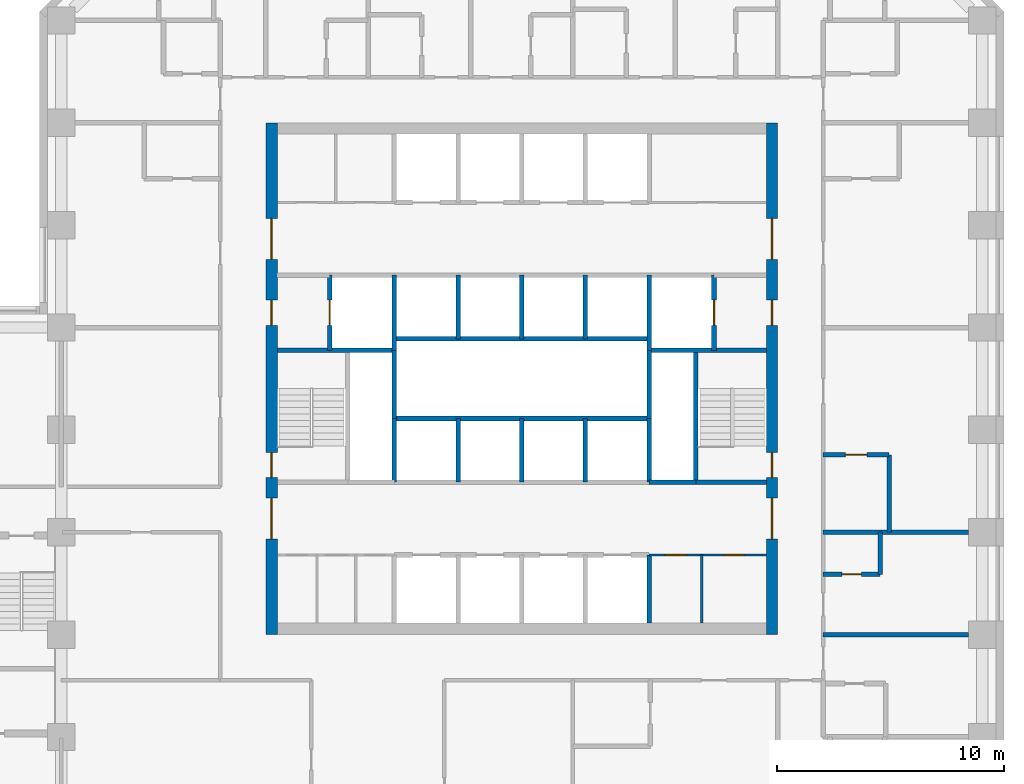
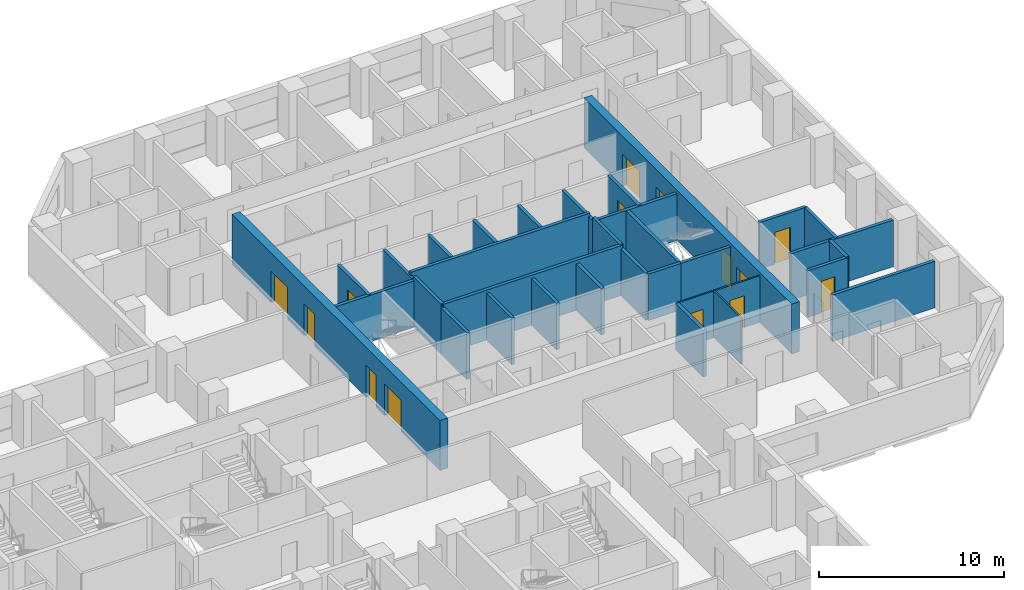
# One storey, part 8 of 12: 32 walls, 14 doors, 14 openings.
"""IFC4 building model written with IfcOpenShell, lengths in metres."""

from ifc_helpers import new_model, si_unit, direction, frame, frame_2d, origin, place, context, subcontext, project, spatial, rectangle, extrude, material, layer, layer_set, type_object, element, fill, save


model = new_model("IFC4")

# Units and contexts
model_context = context("Model", 3, precision=1e-05, world=origin(), true_north=direction((0.0, 1.0)))
body_context = subcontext(model_context, "Body", "Model", "MODEL_VIEW")
ifc_project = project(units=[si_unit("LENGTHUNIT", "METRE"), si_unit("AREAUNIT", "SQUARE_METRE"), si_unit("VOLUMEUNIT", "CUBIC_METRE"), si_unit("PLANEANGLEUNIT", "RADIAN"), si_unit("MASSUNIT", "GRAM", prefix="KILO")], contexts=[model_context])

# Site, building, storey
site_placement = place(None, origin())
site = spatial("IfcSite", under=ifc_project, at=site_placement, CompositionType="ELEMENT")
building_placement = place(site_placement, origin())
building = spatial("IfcBuilding", under=site, at=building_placement, Name="Quoin Convention Tower", CompositionType="ELEMENT")
storey_placement = place(building_placement, frame((0.0, 0.0, 56.10009765625)))
storey = spatial("IfcBuildingStorey", under=building, at=storey_placement, Name="L14", CompositionType="ELEMENT", Elevation=56.10009765625)

# Wall, openings, doors
ifc_material_1 = material(Name="Plasterboard")
ifc_layer_1 = layer(ifc_material_1, 0.012451171875, Name="Finish")
ifc_material_2 = material(Name="Steel stud framing", Category="steel")
ifc_layer_2 = layer(ifc_material_2, 0.074951171875, Name="Structure")
ifc_layer_3 = layer(ifc_material_1, 0.012451171875, Name="Finish")
ifc_layer_set_1 = layer_set([ifc_layer_1, ifc_layer_2, ifc_layer_3], Name="Steel stud framing")
wall_type_1 = type_object("IfcWallType", Name="Core partition wall", PredefinedType="PARTITIONING", material=ifc_layer_set_1)
wall_1_placement = place(storey_placement, frame((61.85009765625, 53.0, 0.0), z_axis=(0.0, 0.0, 1.0), x_axis=(1.0, 0.0, 0.0)))
wall_1 = element("IfcWall", 1, at=wall_1_placement, inside=storey, type_object=wall_type_1, Name="cr-C1-L14-h3500_16850", PredefinedType="PARTITIONING", context=body_context, shape_type="SweptSolid", body=[
    extrude(rectangle(XDim=5.14990234375, YDim=0.10009765625, at=frame_2d((2.574951171875, 0.0))), origin(), (0.0, 0.0, 1.0), 3.079833984375),
])
opening_1_placement = place(wall_1_placement, frame((3.28369140625, 0.0, 0.0)))
opening_1 = element("IfcOpeningElement", 2, at=opening_1_placement, cuts=wall_1, Name="Opening DCV5-22", PredefinedType="OPENING", context=body_context, shape_type="SweptSolid", body=[
    extrude(rectangle(XDim=0.89990234375, YDim=2.10009765625, at=frame_2d((0.449951171875, 1.050048828125))), frame((0.0, 0.06005859375, 0.0), z_axis=(0.0, -1.0, 0.0), x_axis=(1.0, 0.0, 0.0)), (0.0, 0.0, 1.0), 0.1201171875),
])
opening_2_placement = place(wall_1_placement, frame((0.708740234375, 0.0, 0.0)))
opening_2 = element("IfcOpeningElement", 3, at=opening_2_placement, cuts=wall_1, Name="Opening DCV5-20", PredefinedType="OPENING", context=body_context, shape_type="SweptSolid", body=[
    extrude(rectangle(XDim=0.89990234375, YDim=2.10009765625, at=frame_2d((0.449951171875, 1.050048828125))), frame((0.0, 0.06005859375, 0.0), z_axis=(0.0, -1.0, 0.0), x_axis=(1.0, 0.0, 0.0)), (0.0, 0.0, 1.0), 0.1201171875),
])
ifc_material_3 = material(Name="Steel door leaf", Category="steel")
door_type_1 = type_object("IfcDoorType", Name="Core room door 900 x 2100", OperationType="SINGLE_SWING_LEFT", PredefinedType="DOOR", material=ifc_material_3)
door_1_placement = place(opening_1_placement, frame((0.89990234375, 0.0, 0.0), z_axis=(0.0, 0.0, 1.0), x_axis=(-1.0, 0.0, 0.0)))
door_1 = element("IfcDoor", 4, at=door_1_placement, inside=storey, type_object=door_type_1, Name="cd-C1-L14-CSE0-lobA-CD1410", OperationType="SINGLE_SWING_LEFT", OverallHeight=2.10009765625, OverallWidth=0.89990234375, PredefinedType="DOOR", context=body_context, shape_type="SweptSolid", body=[
    extrude(rectangle(XDim=0.89990234375, YDim=2.10009765625, at=frame_2d((0.449951171875, 1.050048828125))), frame((0.0, 0.02490234375, 0.0), z_axis=(0.0, -1.0, 0.0), x_axis=(1.0, 0.0, 0.0)), (0.0, 0.0, 1.0), 0.050048828125),
])
fill(opening_1, door_1)
door_2_placement = place(opening_2_placement, frame((0.89990234375, 0.0, 0.0), z_axis=(0.0, 0.0, 1.0), x_axis=(-1.0, 0.0, 0.0)))
door_2 = element("IfcDoor", 5, at=door_2_placement, inside=storey, type_object=door_type_1, Name="cd-C1-L14-CSE1-lobA-CD1411", OperationType="SINGLE_SWING_RIGHT", OverallHeight=2.10009765625, OverallWidth=0.89990234375, PredefinedType="DOOR", context=body_context, shape_type="SweptSolid", body=[
    extrude(rectangle(XDim=0.89990234375, YDim=2.10009765625, at=frame_2d((0.449951171875, 1.050048828125))), frame((0.0, 0.02490234375, 0.0), z_axis=(0.0, -1.0, 0.0), x_axis=(1.0, 0.0, 0.0)), (0.0, 0.0, 1.0), 0.050048828125),
])
fill(opening_2, door_2)

# Walls
wall_2_placement = place(storey_placement, frame((64.16748046875, 50.0, 0.0), z_axis=(0.0, 0.0, 1.0), x_axis=(0.0, 1.0, 0.0)))
element("IfcWall", 6, at=wall_2_placement, inside=storey, type_object=wall_type_1, Name="cr-C1-L14-v19168_500", PredefinedType="PARTITIONING", context=body_context, shape_type="SweptSolid", body=[
    extrude(rectangle(XDim=3.0, YDim=0.10009765625, at=frame_2d((1.5, 0.0))), origin(), (0.0, 0.0, 1.0), 3.079833984375),
])
ifc_material_4 = material(Name="Concrete C50", Category="concrete")
ifc_layer_4 = layer(ifc_material_4, 0.199951171875)
ifc_layer_set_2 = layer_set([ifc_layer_4], Name="Concrete C50")
wall_type_2 = type_object("IfcWallType", Name="Core shaft wall", PredefinedType="SOLIDWALL", material=ifc_layer_set_2)
wall_3_placement = place(storey_placement, frame((61.85009765625, 56.199951171875, 0.0), z_axis=(0.0, 0.0, 1.0), x_axis=(1.0, 0.0, 0.0)))
element("IfcWall", 7, at=wall_3_placement, inside=storey, type_object=wall_type_2, Name="cr-C1-L14-h6700_16850", PredefinedType="SOLIDWALL", context=body_context, shape_type="SweptSolid", body=[
    extrude(rectangle(XDim=2.0498046875, YDim=0.199951171875, at=frame_2d((1.02490234375, 0.0))), origin(), (0.0, 0.0, 1.0), 3.079833984375),
])
wall_4_placement = place(storey_placement, frame((63.89990234375, 56.199951171875, 0.0), z_axis=(0.0, 0.0, 1.0), x_axis=(1.0, 0.0, 0.0)))
element("IfcWall", 8, at=wall_4_placement, inside=storey, type_object=wall_type_2, Name="cr-C1-L14-h6700_18900", PredefinedType="SOLIDWALL", context=body_context, shape_type="SweptSolid", body=[
    extrude(rectangle(XDim=3.10009765625, YDim=0.199951171875, at=frame_2d((1.550048828125, 0.0))), origin(), (0.0, 0.0, 1.0), 3.079833984375),
])
for number, where, z_axis, x_axis, name in (
    (9, (45.5, 62.0, 0.0), (0.0, 0.0, 1.0), (1.0, 0.0, 0.0), "cr-C1-L14-h12500_500"),
    (10, (61.85009765625, 62.0, 0.0), (0.0, 0.0, 1.0), (1.0, 0.0, 0.0), "cr-C1-L14-h12500_16850"),
):
    element("IfcWall", number, at=place(storey_placement, frame(where, z_axis=z_axis, x_axis=x_axis)), inside=storey, type_object=wall_type_2, Name=name, PredefinedType="SOLIDWALL", context=body_context, shape_type="SweptSolid", body=[
        extrude(rectangle(XDim=5.14990234375, YDim=0.199951171875, at=frame_2d((2.574951171875, 0.0))), origin(), (0.0, 0.0, 1.0), 3.079833984375),
    ])

# Wall, opening, door
wall_5_placement = place(storey_placement, frame((47.800048828125, 62.0, 0.0), z_axis=(0.0, 0.0, 1.0), x_axis=(0.0, 1.0, 0.0)))
wall_5 = element("IfcWall", 11, at=wall_5_placement, inside=storey, type_object=wall_type_2, Name="cr-C1-L14-v2800_12500", PredefinedType="SOLIDWALL", context=body_context, shape_type="SweptSolid", body=[
    extrude(rectangle(XDim=3.300048828125, YDim=0.199951171875, at=frame_2d((1.64990234375, 0.0))), origin(), (0.0, 0.0, 1.0), 3.079833984375),
])
opening_3_placement = place(wall_5_placement, frame((1.10009765625, 0.0, 0.0)))
opening_3 = element("IfcOpeningElement", 12, at=opening_3_placement, cuts=wall_5, Name="Opening LDFL1", PredefinedType="OPENING", context=body_context, shape_type="SweptSolid", body=[
    extrude(rectangle(XDim=1.10009765625, YDim=2.10009765625, at=frame_2d((0.550048828125, 1.050048828125))), frame((0.0, 0.10986328125, 0.0), z_axis=(0.0, -1.0, 0.0), x_axis=(1.0, 0.0, 0.0)), (0.0, 0.0, 1.0), 0.219970703125),
])
door_type_2 = type_object("IfcDoorType", Name="Lift landing door 1100 x 2100", OperationType="DOUBLE_DOOR_SLIDING", PredefinedType="DOOR", material=ifc_material_3)
door_3_placement = place(opening_3_placement, origin())
door_3 = element("IfcDoor", 13, at=door_3_placement, inside=storey, type_object=door_type_2, Name="cd-C1-L14-FLW-FFW-LDFL1", OperationType="DOUBLE_DOOR_SLIDING", OverallHeight=2.10009765625, OverallWidth=1.10009765625, PredefinedType="DOOR", context=body_context, shape_type="SweptSolid", body=[
    extrude(rectangle(XDim=1.10009765625, YDim=2.10009765625, at=frame_2d((0.550048828125, 1.050048828125))), frame((0.0, 0.02490234375, 0.0), z_axis=(0.0, -1.0, 0.0), x_axis=(1.0, 0.0, 0.0)), (0.0, 0.0, 1.0), 0.050048828125),
])
fill(opening_3, door_3)

# Walls
wall_6_placement = place(storey_placement, frame((50.64990234375, 56.199951171875, 0.0), z_axis=(0.0, 0.0, 1.0), x_axis=(0.0, 1.0, 0.0)))
element("IfcWall", 14, at=wall_6_placement, inside=storey, type_object=wall_type_2, Name="cr-C1-L14-v5650_6700", PredefinedType="SOLIDWALL", context=body_context, shape_type="SweptSolid", body=[
    extrude(rectangle(XDim=2.800048828125, YDim=0.199951171875, at=frame_2d((1.39990234375, 0.0))), origin(), (0.0, 0.0, 1.0), 3.079833984375),
])
wall_7_placement = place(storey_placement, frame((50.64990234375, 62.0, 0.0), z_axis=(0.0, 0.0, 1.0), x_axis=(0.0, 1.0, 0.0)))
element("IfcWall", 15, at=wall_7_placement, inside=storey, type_object=wall_type_2, Name="cr-C1-L14-v5650_12500", PredefinedType="SOLIDWALL", context=body_context, shape_type="SweptSolid", body=[
    extrude(rectangle(XDim=3.300048828125, YDim=0.199951171875, at=frame_2d((1.64990234375, 0.0))), origin(), (0.0, 0.0, 1.0), 3.079833984375),
])
for number, where, z_axis, x_axis, name in (
    (16, (53.449951171875, 56.199951171875, 0.0), (0.0, 0.0, 1.0), (0.0, 1.0, 0.0), "cr-C1-L14-v8450_6700"),
    (17, (53.449951171875, 62.5, 0.0), (0.0, 0.0, 1.0), (0.0, 1.0, 0.0), "cr-C1-L14-v8450_13000"),
    (18, (56.25, 56.199951171875, 0.0), (0.0, 0.0, 1.0), (0.0, 1.0, 0.0), "cr-C1-L14-v11250_6700"),
    (19, (56.25, 62.5, 0.0), (0.0, 0.0, 1.0), (0.0, 1.0, 0.0), "cr-C1-L14-v11250_13000"),
    (20, (59.050048828125, 56.199951171875, 0.0), (0.0, 0.0, 1.0), (0.0, 1.0, 0.0), "cr-C1-L14-v14050_6700"),
    (21, (59.050048828125, 62.5, 0.0), (0.0, 0.0, 1.0), (0.0, 1.0, 0.0), "cr-C1-L14-v14050_13000"),
):
    element("IfcWall", number, at=place(storey_placement, frame(where, z_axis=z_axis, x_axis=x_axis)), inside=storey, type_object=wall_type_2, Name=name, PredefinedType="SOLIDWALL", context=body_context, shape_type="SweptSolid", body=[
        extrude(rectangle(XDim=2.800048828125, YDim=0.199951171875, at=frame_2d((1.39990234375, 0.0))), origin(), (0.0, 0.0, 1.0), 3.079833984375),
    ])
wall_8_placement = place(storey_placement, frame((61.85009765625, 50.0, 0.0), z_axis=(0.0, 0.0, 1.0), x_axis=(0.0, 1.0, 0.0)))
element("IfcWall", 22, at=wall_8_placement, inside=storey, type_object=wall_type_2, Name="cr-C1-L14-v16850_500", PredefinedType="SOLIDWALL", context=body_context, shape_type="SweptSolid", body=[
    extrude(rectangle(XDim=3.0, YDim=0.199951171875, at=frame_2d((1.5, 0.0))), origin(), (0.0, 0.0, 1.0), 3.079833984375),
])
wall_9_placement = place(storey_placement, frame((61.85009765625, 56.199951171875, 0.0), z_axis=(0.0, 0.0, 1.0), x_axis=(0.0, 1.0, 0.0)))
element("IfcWall", 23, at=wall_9_placement, inside=storey, type_object=wall_type_2, Name="cr-C1-L14-v16850_6700", PredefinedType="SOLIDWALL", context=body_context, shape_type="SweptSolid", body=[
    extrude(rectangle(XDim=2.800048828125, YDim=0.199951171875, at=frame_2d((1.39990234375, 0.0))), origin(), (0.0, 0.0, 1.0), 3.079833984375),
])
wall_10_placement = place(storey_placement, frame((61.85009765625, 62.0, 0.0), z_axis=(0.0, 0.0, 1.0), x_axis=(0.0, 1.0, 0.0)))
element("IfcWall", 24, at=wall_10_placement, inside=storey, type_object=wall_type_2, Name="cr-C1-L14-v16850_12500", PredefinedType="SOLIDWALL", context=body_context, shape_type="SweptSolid", body=[
    extrude(rectangle(XDim=3.300048828125, YDim=0.199951171875, at=frame_2d((1.64990234375, 0.0))), origin(), (0.0, 0.0, 1.0), 3.079833984375),
])
wall_11_placement = place(storey_placement, frame((63.89990234375, 56.199951171875, 0.0), z_axis=(0.0, 0.0, 1.0), x_axis=(0.0, 1.0, 0.0)))
element("IfcWall", 25, at=wall_11_placement, inside=storey, type_object=wall_type_2, Name="cr-C1-L14-v18900_6700", PredefinedType="SOLIDWALL", context=body_context, shape_type="SweptSolid", body=[
    extrude(rectangle(XDim=5.800048828125, YDim=0.199951171875, at=frame_2d((2.89990234375, 0.0))), origin(), (0.0, 0.0, 1.0), 3.079833984375),
])

# Wall, opening, door
wall_12_placement = place(storey_placement, frame((64.699951171875, 62.0, 0.0), z_axis=(0.0, 0.0, 1.0), x_axis=(0.0, 1.0, 0.0)))
wall_12 = element("IfcWall", 26, at=wall_12_placement, inside=storey, type_object=wall_type_2, Name="cr-C1-L14-v19700_12500", PredefinedType="SOLIDWALL", context=body_context, shape_type="SweptSolid", body=[
    extrude(rectangle(XDim=3.300048828125, YDim=0.199951171875, at=frame_2d((1.64990234375, 0.0))), origin(), (0.0, 0.0, 1.0), 3.079833984375),
])
opening_4_placement = place(wall_12_placement, frame((1.10009765625, 0.0, 0.0)))
opening_4 = element("IfcOpeningElement", 27, at=opening_4_placement, cuts=wall_12, Name="Opening LDFL2", PredefinedType="OPENING", context=body_context, shape_type="SweptSolid", body=[
    extrude(rectangle(XDim=1.10009765625, YDim=2.10009765625, at=frame_2d((0.550048828125, 1.050048828125))), frame((0.0, 0.10986328125, 0.0), z_axis=(0.0, -1.0, 0.0), x_axis=(1.0, 0.0, 0.0)), (0.0, 0.0, 1.0), 0.219970703125),
])
door_4_placement = place(opening_4_placement, origin())
door_4 = element("IfcDoor", 28, at=door_4_placement, inside=storey, type_object=door_type_2, Name="cd-C1-L14-FLE-FFE-LDFL2", OperationType="DOUBLE_DOOR_SLIDING", OverallHeight=2.10009765625, OverallWidth=1.10009765625, PredefinedType="DOOR", context=body_context, shape_type="SweptSolid", body=[
    extrude(rectangle(XDim=1.10009765625, YDim=2.10009765625, at=frame_2d((0.550048828125, 1.050048828125))), frame((0.0, 0.02490234375, 0.0), z_axis=(0.0, -1.0, 0.0), x_axis=(1.0, 0.0, 0.0)), (0.0, 0.0, 1.0), 0.050048828125),
])
fill(opening_4, door_4)

# Walls
ifc_layer_5 = layer(ifc_material_4, 0.199951171875)
ifc_layer_set_3 = layer_set([ifc_layer_5], Name="Concrete C50")
wall_type_3 = type_object("IfcWallType", Name="Core shaft wall to the floor level over", PredefinedType="SOLIDWALL", material=ifc_layer_set_3)
for number, where, z_axis, x_axis, name in (
    (29, (50.64990234375, 59.0, 0.0), (0.0, 0.0, 1.0), (1.0, 0.0, 0.0), "cr-C1-L14-h9500_5650"),
    (30, (50.64990234375, 62.5, 0.0), (0.0, 0.0, 1.0), (1.0, 0.0, 0.0), "cr-C1-L14-h13000_5650"),
):
    element("IfcWall", number, at=place(storey_placement, frame(where, z_axis=z_axis, x_axis=x_axis)), inside=storey, type_object=wall_type_3, Name=name, PredefinedType="SOLIDWALL", context=body_context, shape_type="SweptSolid", body=[
        extrude(rectangle(XDim=11.2001953125, YDim=0.199951171875, at=frame_2d((5.60009765625, 0.0))), origin(), (0.0, 0.0, 1.0), 3.2998046875),
    ])
for number, where, z_axis, x_axis, name in (
    (31, (50.64990234375, 59.0, 0.0), (0.0, 0.0, 1.0), (0.0, 1.0, 0.0), "cr-C1-L14-v5650_9500"),
    (32, (61.85009765625, 59.0, 0.0), (0.0, 0.0, 1.0), (0.0, 1.0, 0.0), "cr-C1-L14-v16850_9500"),
):
    element("IfcWall", number, at=place(storey_placement, frame(where, z_axis=z_axis, x_axis=x_axis)), inside=storey, type_object=wall_type_3, Name=name, PredefinedType="SOLIDWALL", context=body_context, shape_type="SweptSolid", body=[
        extrude(rectangle(XDim=3.0, YDim=0.199951171875, at=frame_2d((1.5, 0.0))), origin(), (0.0, 0.0, 1.0), 3.2998046875),
    ])

# Wall, openings, doors
ifc_material_5 = material(Name="Concrete C80", Category="concrete")
ifc_layer_6 = layer(ifc_material_5, 0.5)
ifc_layer_set_4 = layer_set([ifc_layer_6], Name="Concrete C80")
wall_type_4 = type_object("IfcWallType", Name="RC CORE WALL 500 C80", PredefinedType="SHEAR", material=ifc_layer_set_4)
wall_13_placement = place(storey_placement, frame((45.25, 49.5, 0.0), z_axis=(0.0, 0.0, 1.0), x_axis=(0.0, 1.0, 0.0)))
wall_13 = element("IfcWall", 33, at=wall_13_placement, inside=storey, type_object=wall_type_4, Name="cwl-C1-L14-W", PredefinedType="SHEAR", context=body_context, shape_type="SweptSolid", body=[
    extrude(rectangle(XDim=22.5, YDim=0.5, at=frame_2d((11.25, 0.0))), origin(), (0.0, 0.0, 1.0), 3.2998046875),
])
opening_5_placement = place(wall_13_placement, frame((4.199951171875, 0.0, 0.0)))
opening_5 = element("IfcOpeningElement", 34, at=opening_5_placement, cuts=wall_13, Name="Opening DCV5-50", PredefinedType="OPENING", context=body_context, shape_type="SweptSolid", body=[
    extrude(rectangle(XDim=1.800048828125, YDim=2.10009765625, at=frame_2d((0.89990234375, 1.050048828125))), frame((0.0, 0.260009765625, 0.0), z_axis=(0.0, -1.0, 0.0), x_axis=(1.0, 0.0, 0.0)), (0.0, 0.0, 1.0), 0.52001953125),
])
opening_6_placement = place(wall_13_placement, frame((6.89990234375, 0.0, 0.0)))
opening_6 = element("IfcOpeningElement", 35, at=opening_6_placement, cuts=wall_13, Name="Opening SD1", PredefinedType="OPENING", context=body_context, shape_type="SweptSolid", body=[
    extrude(rectangle(XDim=1.10009765625, YDim=2.10009765625, at=frame_2d((0.550048828125, 1.050048828125))), frame((0.0, 0.260009765625, 0.0), z_axis=(0.0, -1.0, 0.0), x_axis=(1.0, 0.0, 0.0)), (0.0, 0.0, 1.0), 0.52001953125),
])
opening_7_placement = place(wall_13_placement, frame((13.60009765625, 0.0, 0.0)))
opening_7 = element("IfcOpeningElement", 36, at=opening_7_placement, cuts=wall_13, Name="Opening DCV5-49", PredefinedType="OPENING", context=body_context, shape_type="SweptSolid", body=[
    extrude(rectangle(XDim=1.10009765625, YDim=2.10009765625, at=frame_2d((0.550048828125, 1.050048828125))), frame((0.0, 0.260009765625, 0.0), z_axis=(0.0, -1.0, 0.0), x_axis=(1.0, 0.0, 0.0)), (0.0, 0.0, 1.0), 0.52001953125),
])
opening_8_placement = place(wall_13_placement, frame((16.5, 0.0, 0.0)))
opening_8 = element("IfcOpeningElement", 37, at=opening_8_placement, cuts=wall_13, Name="Opening DCV5-50", PredefinedType="OPENING", context=body_context, shape_type="SweptSolid", body=[
    extrude(rectangle(XDim=1.800048828125, YDim=2.10009765625, at=frame_2d((0.89990234375, 1.050048828125))), frame((0.0, 0.260009765625, 0.0), z_axis=(0.0, -1.0, 0.0), x_axis=(1.0, 0.0, 0.0)), (0.0, 0.0, 1.0), 0.52001953125),
])
door_type_3 = type_object("IfcDoorType", Name="Fire-fighting lobby door 1100 x 2100", OperationType="SINGLE_SWING_LEFT", PredefinedType="DOOR", material=ifc_material_3)
door_5_placement = place(opening_7_placement, frame((1.10009765625, 0.0, 0.0), z_axis=(0.0, 0.0, 1.0), x_axis=(-1.0, 0.0, 0.0)))
door_5 = element("IfcDoor", 38, at=door_5_placement, inside=storey, type_object=door_type_3, Name="cd-C1-L14-FFW-W", OperationType="SINGLE_SWING_LEFT", OverallHeight=2.10009765625, OverallWidth=1.10009765625, PredefinedType="DOOR", context=body_context, shape_type="SweptSolid", body=[
    extrude(rectangle(XDim=1.10009765625, YDim=2.10009765625, at=frame_2d((0.550048828125, 1.050048828125))), frame((0.0, 0.02490234375, 0.0), z_axis=(0.0, -1.0, 0.0), x_axis=(1.0, 0.0, 0.0)), (0.0, 0.0, 1.0), 0.050048828125),
])
fill(opening_7, door_5)
door_type_4 = type_object("IfcDoorType", Name="Lift lobby door 1800 x 2100", OperationType="SINGLE_SWING_LEFT", PredefinedType="DOOR", material=ifc_material_3)
door_6_placement = place(opening_5_placement, frame((1.800048828125, 0.0, 0.0), z_axis=(0.0, 0.0, 1.0), x_axis=(-1.0, 0.0, 0.0)))
door_6 = element("IfcDoor", 39, at=door_6_placement, inside=storey, type_object=door_type_4, Name="cd-C1-L14-lobA-W", OperationType="SINGLE_SWING_LEFT", OverallHeight=2.10009765625, OverallWidth=1.800048828125, PredefinedType="DOOR", context=body_context, shape_type="SweptSolid", body=[
    extrude(rectangle(XDim=1.800048828125, YDim=2.10009765625, at=frame_2d((0.89990234375, 1.050048828125))), frame((0.0, 0.02490234375, 0.0), z_axis=(0.0, -1.0, 0.0), x_axis=(1.0, 0.0, 0.0)), (0.0, 0.0, 1.0), 0.050048828125),
])
fill(opening_5, door_6)
door_7_placement = place(opening_8_placement, frame((1.800048828125, 0.0, 0.0), z_axis=(0.0, 0.0, 1.0), x_axis=(-1.0, 0.0, 0.0)))
door_7 = element("IfcDoor", 40, at=door_7_placement, inside=storey, type_object=door_type_4, Name="cd-C1-L14-lobB-W", OperationType="SINGLE_SWING_LEFT", OverallHeight=2.10009765625, OverallWidth=1.800048828125, PredefinedType="DOOR", context=body_context, shape_type="SweptSolid", body=[
    extrude(rectangle(XDim=1.800048828125, YDim=2.10009765625, at=frame_2d((0.89990234375, 1.050048828125))), frame((0.0, 0.02490234375, 0.0), z_axis=(0.0, -1.0, 0.0), x_axis=(1.0, 0.0, 0.0)), (0.0, 0.0, 1.0), 0.050048828125),
])
fill(opening_8, door_7)
door_type_5 = type_object("IfcDoorType", Name="Stair door 1100 x 2100", OperationType="SINGLE_SWING_RIGHT", PredefinedType="DOOR", material=ifc_material_3)
door_8_placement = place(opening_6_placement, frame((1.10009765625, 0.0, 0.0), z_axis=(0.0, 0.0, 1.0), x_axis=(-1.0, 0.0, 0.0)))
door_8 = element("IfcDoor", 41, at=door_8_placement, inside=storey, type_object=door_type_5, Name="cd-C1-L14-STW-W", OperationType="SINGLE_SWING_RIGHT", OverallHeight=2.10009765625, OverallWidth=1.10009765625, PredefinedType="DOOR", context=body_context, shape_type="SweptSolid", body=[
    extrude(rectangle(XDim=1.10009765625, YDim=2.10009765625, at=frame_2d((0.550048828125, 1.050048828125))), frame((0.0, 0.02490234375, 0.0), z_axis=(0.0, -1.0, 0.0), x_axis=(1.0, 0.0, 0.0)), (0.0, 0.0, 1.0), 0.050048828125),
])
fill(opening_6, door_8)

wall_14_placement = place(storey_placement, frame((67.25, 49.5, 0.0), z_axis=(0.0, 0.0, 1.0), x_axis=(0.0, 1.0, 0.0)))
wall_14 = element("IfcWall", 42, at=wall_14_placement, inside=storey, type_object=wall_type_4, Name="cwl-C1-L14-E", PredefinedType="SHEAR", context=body_context, shape_type="SweptSolid", body=[
    extrude(rectangle(XDim=22.5, YDim=0.5, at=frame_2d((11.25, 0.0))), origin(), (0.0, 0.0, 1.0), 3.2998046875),
])
opening_9_placement = place(wall_14_placement, frame((4.199951171875, 0.0, 0.0)))
opening_9 = element("IfcOpeningElement", 43, at=opening_9_placement, cuts=wall_14, Name="Opening DCV5-48", PredefinedType="OPENING", context=body_context, shape_type="SweptSolid", body=[
    extrude(rectangle(XDim=1.800048828125, YDim=2.10009765625, at=frame_2d((0.89990234375, 1.050048828125))), frame((0.0, 0.260009765625, 0.0), z_axis=(0.0, -1.0, 0.0), x_axis=(1.0, 0.0, 0.0)), (0.0, 0.0, 1.0), 0.52001953125),
])
opening_10_placement = place(wall_14_placement, frame((6.89990234375, 0.0, 0.0)))
opening_10 = element("IfcOpeningElement", 44, at=opening_10_placement, cuts=wall_14, Name="Opening SD2", PredefinedType="OPENING", context=body_context, shape_type="SweptSolid", body=[
    extrude(rectangle(XDim=1.10009765625, YDim=2.10009765625, at=frame_2d((0.550048828125, 1.050048828125))), frame((0.0, 0.260009765625, 0.0), z_axis=(0.0, -1.0, 0.0), x_axis=(1.0, 0.0, 0.0)), (0.0, 0.0, 1.0), 0.52001953125),
])
opening_11_placement = place(wall_14_placement, frame((13.60009765625, 0.0, 0.0)))
opening_11 = element("IfcOpeningElement", 45, at=opening_11_placement, cuts=wall_14, Name="Opening DCV5-47", PredefinedType="OPENING", context=body_context, shape_type="SweptSolid", body=[
    extrude(rectangle(XDim=1.10009765625, YDim=2.10009765625, at=frame_2d((0.550048828125, 1.050048828125))), frame((0.0, 0.260009765625, 0.0), z_axis=(0.0, -1.0, 0.0), x_axis=(1.0, 0.0, 0.0)), (0.0, 0.0, 1.0), 0.52001953125),
])
opening_12_placement = place(wall_14_placement, frame((16.5, 0.0, 0.0)))
opening_12 = element("IfcOpeningElement", 46, at=opening_12_placement, cuts=wall_14, Name="Opening DCV5-48", PredefinedType="OPENING", context=body_context, shape_type="SweptSolid", body=[
    extrude(rectangle(XDim=1.800048828125, YDim=2.10009765625, at=frame_2d((0.89990234375, 1.050048828125))), frame((0.0, 0.260009765625, 0.0), z_axis=(0.0, -1.0, 0.0), x_axis=(1.0, 0.0, 0.0)), (0.0, 0.0, 1.0), 0.52001953125),
])
door_9_placement = place(opening_11_placement, origin())
door_9 = element("IfcDoor", 47, at=door_9_placement, inside=storey, type_object=door_type_3, Name="cd-C1-L14-FFE-E", OperationType="SINGLE_SWING_RIGHT", OverallHeight=2.10009765625, OverallWidth=1.10009765625, PredefinedType="DOOR", context=body_context, shape_type="SweptSolid", body=[
    extrude(rectangle(XDim=1.10009765625, YDim=2.10009765625, at=frame_2d((0.550048828125, 1.050048828125))), frame((0.0, 0.02490234375, 0.0), z_axis=(0.0, -1.0, 0.0), x_axis=(1.0, 0.0, 0.0)), (0.0, 0.0, 1.0), 0.050048828125),
])
fill(opening_11, door_9)
door_10_placement = place(opening_9_placement, origin())
door_10 = element("IfcDoor", 48, at=door_10_placement, inside=storey, type_object=door_type_4, Name="cd-C1-L14-lobA-E", OperationType="SINGLE_SWING_RIGHT", OverallHeight=2.10009765625, OverallWidth=1.800048828125, PredefinedType="DOOR", context=body_context, shape_type="SweptSolid", body=[
    extrude(rectangle(XDim=1.800048828125, YDim=2.10009765625, at=frame_2d((0.89990234375, 1.050048828125))), frame((0.0, 0.02490234375, 0.0), z_axis=(0.0, -1.0, 0.0), x_axis=(1.0, 0.0, 0.0)), (0.0, 0.0, 1.0), 0.050048828125),
])
fill(opening_9, door_10)
door_11_placement = place(opening_12_placement, origin())
door_11 = element("IfcDoor", 49, at=door_11_placement, inside=storey, type_object=door_type_4, Name="cd-C1-L14-lobB-E", OperationType="SINGLE_SWING_RIGHT", OverallHeight=2.10009765625, OverallWidth=1.800048828125, PredefinedType="DOOR", context=body_context, shape_type="SweptSolid", body=[
    extrude(rectangle(XDim=1.800048828125, YDim=2.10009765625, at=frame_2d((0.89990234375, 1.050048828125))), frame((0.0, 0.02490234375, 0.0), z_axis=(0.0, -1.0, 0.0), x_axis=(1.0, 0.0, 0.0)), (0.0, 0.0, 1.0), 0.050048828125),
])
fill(opening_12, door_11)
door_12_placement = place(opening_10_placement, origin())
door_12 = element("IfcDoor", 50, at=door_12_placement, inside=storey, type_object=door_type_5, Name="cd-C1-L14-STE-E", OperationType="SINGLE_SWING_LEFT", OverallHeight=2.10009765625, OverallWidth=1.10009765625, PredefinedType="DOOR", context=body_context, shape_type="SweptSolid", body=[
    extrude(rectangle(XDim=1.10009765625, YDim=2.10009765625, at=frame_2d((0.550048828125, 1.050048828125))), frame((0.0, 0.02490234375, 0.0), z_axis=(0.0, -1.0, 0.0), x_axis=(1.0, 0.0, 0.0)), (0.0, 0.0, 1.0), 0.050048828125),
])
fill(opening_10, door_12)

# Wall
ifc_layer_7 = layer(ifc_material_4, 0.199951171875)
ifc_layer_set_5 = layer_set([ifc_layer_7], Name="Concrete C50")
wall_type_5 = type_object("IfcWallType", Name="RC party wall", PredefinedType="SOLIDWALL", material=ifc_layer_set_5)
wall_15_placement = place(storey_placement, frame((69.5, 49.5, 0.0), z_axis=(0.0, 0.0, 1.0), x_axis=(1.0, 0.0, 0.0)))
element("IfcWall", 51, at=wall_15_placement, inside=storey, type_object=wall_type_5, Name="pw-L14-094", PredefinedType="SOLIDWALL", context=body_context, shape_type="SweptSolid", body=[
    extrude(rectangle(XDim=6.39990234375, YDim=0.199951171875, at=frame_2d((3.199951171875, 0.0))), origin(), (0.0, 0.0, 1.0), 3.079833984375),
])

# Wall, opening, door
wall_16_placement = place(storey_placement, frame((69.5, 52.14990234375, 0.0), z_axis=(0.0, 0.0, 1.0), x_axis=(1.0, 0.0, 0.0)))
wall_16 = element("IfcWall", 52, at=wall_16_placement, inside=storey, type_object=wall_type_5, Name="pw-L14-095", PredefinedType="SOLIDWALL", context=body_context, shape_type="SweptSolid", body=[
    extrude(rectangle(XDim=2.5, YDim=0.199951171875, at=frame_2d((1.25, 0.0))), origin(), (0.0, 0.0, 1.0), 3.079833984375),
])
opening_13_placement = place(wall_16_placement, frame((0.824951171875, 0.0, 0.0)))
opening_13 = element("IfcOpeningElement", 53, at=opening_13_placement, cuts=wall_16, Name="Opening DHOTEL-C-60", PredefinedType="OPENING", context=body_context, shape_type="SweptSolid", body=[
    extrude(rectangle(XDim=0.85009765625, YDim=2.10009765625, at=frame_2d((0.425048828125, 1.050048828125))), frame((0.0, 0.10986328125, 0.0), z_axis=(0.0, -1.0, 0.0), x_axis=(1.0, 0.0, 0.0)), (0.0, 0.0, 1.0), 0.219970703125),
])
door_type_6 = type_object("IfcDoorType", Name="Bathroom door", OperationType="SINGLE_SWING_LEFT", PredefinedType="DOOR", material=ifc_material_3)
door_13_placement = place(opening_13_placement, frame((0.85009765625, 0.0, 0.0), z_axis=(0.0, 0.0, 1.0), x_axis=(-1.0, 0.0, 0.0)))
door_13 = element("IfcDoor", 54, at=door_13_placement, inside=storey, type_object=door_type_6, Name="dr-L14-054", OperationType="SINGLE_SWING_RIGHT", OverallHeight=2.10009765625, OverallWidth=0.85009765625, PredefinedType="DOOR", context=body_context, shape_type="SweptSolid", body=[
    extrude(rectangle(XDim=0.85009765625, YDim=2.10009765625, at=frame_2d((0.425048828125, 1.050048828125))), frame((0.0, 0.02490234375, 0.0), z_axis=(0.0, -1.0, 0.0), x_axis=(1.0, 0.0, 0.0)), (0.0, 0.0, 1.0), 0.050048828125),
])
fill(opening_13, door_13)

# Walls
wall_17_placement = place(storey_placement, frame((72.0, 52.14990234375, 0.0), z_axis=(0.0, 0.0, 1.0), x_axis=(0.0, 1.0, 0.0)))
element("IfcWall", 55, at=wall_17_placement, inside=storey, type_object=wall_type_5, Name="pw-L14-096", PredefinedType="SOLIDWALL", context=body_context, shape_type="SweptSolid", body=[
    extrude(rectangle(XDim=1.85009765625, YDim=0.199951171875, at=frame_2d((0.925048828125, 0.0))), origin(), (0.0, 0.0, 1.0), 3.079833984375),
])
wall_18_placement = place(storey_placement, frame((69.5, 54.0, 0.0), z_axis=(0.0, 0.0, 1.0), x_axis=(1.0, 0.0, 0.0)))
element("IfcWall", 56, at=wall_18_placement, inside=storey, type_object=wall_type_5, Name="pw-L14-097", PredefinedType="SOLIDWALL", context=body_context, shape_type="SweptSolid", body=[
    extrude(rectangle(XDim=6.39990234375, YDim=0.199951171875, at=frame_2d((3.199951171875, 0.0))), origin(), (0.0, 0.0, 1.0), 3.079833984375),
])
wall_19_placement = place(storey_placement, frame((72.39990234375, 54.0, 0.0), z_axis=(0.0, 0.0, 1.0), x_axis=(0.0, 1.0, 0.0)))
element("IfcWall", 57, at=wall_19_placement, inside=storey, type_object=wall_type_5, Name="pw-L14-098", PredefinedType="SOLIDWALL", context=body_context, shape_type="SweptSolid", body=[
    extrude(rectangle(XDim=3.39990234375, YDim=0.199951171875, at=frame_2d((1.699951171875, 0.0))), origin(), (0.0, 0.0, 1.0), 3.079833984375),
])

# Wall, opening, door
wall_20_placement = place(storey_placement, frame((69.5, 57.39990234375, 0.0), z_axis=(0.0, 0.0, 1.0), x_axis=(1.0, 0.0, 0.0)))
wall_20 = element("IfcWall", 58, at=wall_20_placement, inside=storey, type_object=wall_type_5, Name="pw-L14-106", PredefinedType="SOLIDWALL", context=body_context, shape_type="SweptSolid", body=[
    extrude(rectangle(XDim=2.89990234375, YDim=0.199951171875, at=frame_2d((1.449951171875, 0.0))), origin(), (0.0, 0.0, 1.0), 3.079833984375),
])
opening_14_placement = place(wall_20_placement, frame((0.97509765625, 0.0, 0.0)))
opening_14 = element("IfcOpeningElement", 59, at=opening_14_placement, cuts=wall_20, Name="Opening DHOTEL-C-62", PredefinedType="OPENING", context=body_context, shape_type="SweptSolid", body=[
    extrude(rectangle(XDim=0.949951171875, YDim=2.10009765625, at=frame_2d((0.47509765625, 1.050048828125))), frame((0.0, 0.10986328125, 0.0), z_axis=(0.0, -1.0, 0.0), x_axis=(1.0, 0.0, 0.0)), (0.0, 0.0, 1.0), 0.219970703125),
])
door_type_7 = type_object("IfcDoorType", Name="Accessible bathroom door", OperationType="SINGLE_SWING_LEFT", PredefinedType="DOOR", material=ifc_material_3)
door_14_placement = place(opening_14_placement, origin())
door_14 = element("IfcDoor", 60, at=door_14_placement, inside=storey, type_object=door_type_7, Name="dr-L14-052", OperationType="SINGLE_SWING_LEFT", OverallHeight=2.10009765625, OverallWidth=0.949951171875, PredefinedType="DOOR", context=body_context, shape_type="SweptSolid", body=[
    extrude(rectangle(XDim=0.949951171875, YDim=2.10009765625, at=frame_2d((0.47509765625, 1.050048828125))), frame((0.0, 0.02490234375, 0.0), z_axis=(0.0, -1.0, 0.0), x_axis=(1.0, 0.0, 0.0)), (0.0, 0.0, 1.0), 0.050048828125),
])
fill(opening_14, door_14)

save(model, "model.ifc")
